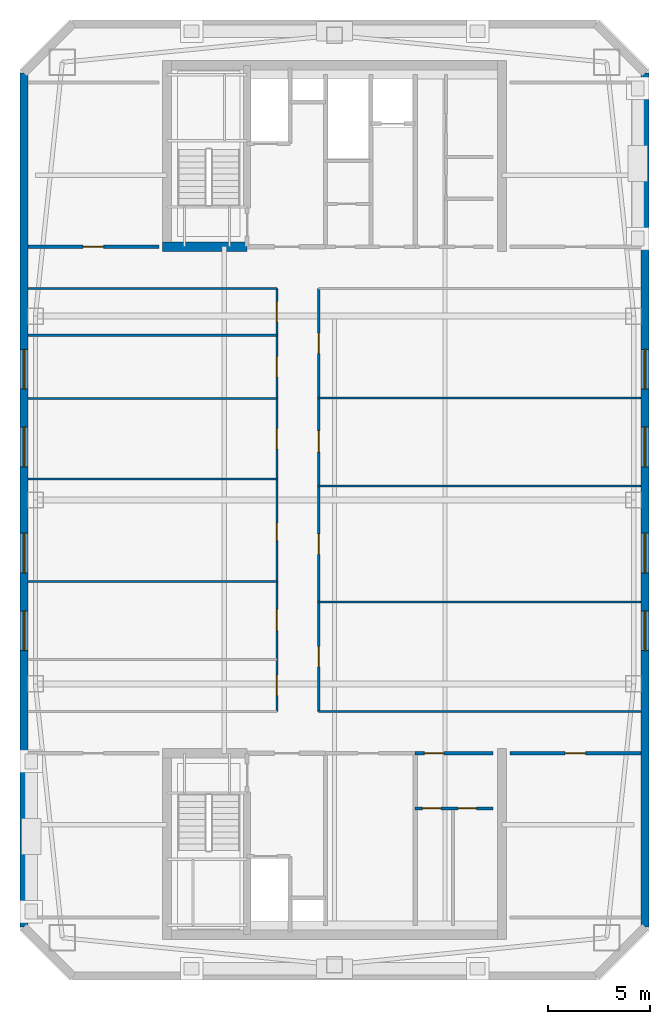
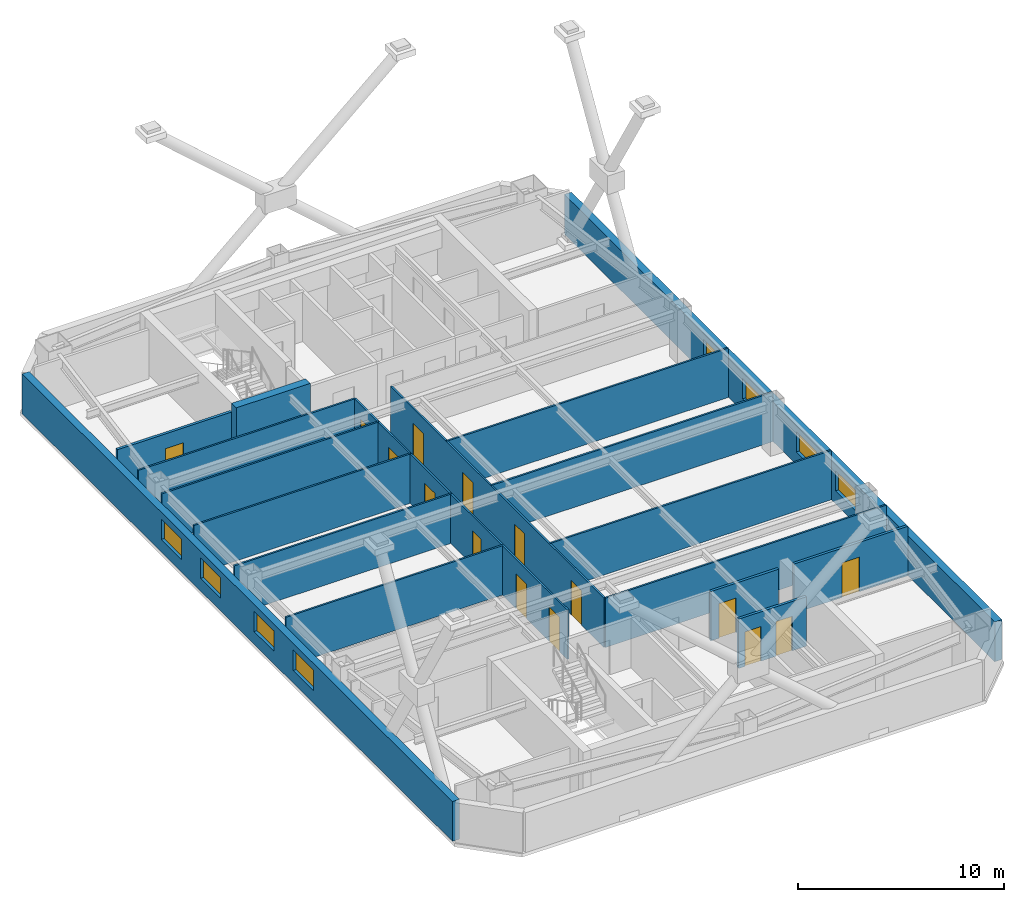
# One storey, part 3 of 6: 18 walls, 15 doors, 8 windows, 23 openings.
"""IFC4 building model written with IfcOpenShell, lengths in metres."""

from ifc_helpers import new_model, si_unit, direction, frame, frame_2d, origin, place, context, subcontext, project, spatial, rectangle, extrude, material, layer, layer_set, type_object, element, fill, save


model = new_model("IFC4")

# Units and contexts
model_context = context("Model", 3, precision=1e-05, world=origin(), true_north=direction((0.0, 1.0)))
body_context = subcontext(model_context, "Body", "Model", "MODEL_VIEW")
ifc_project = project(units=[si_unit("LENGTHUNIT", "METRE"), si_unit("AREAUNIT", "SQUARE_METRE"), si_unit("VOLUMEUNIT", "CUBIC_METRE"), si_unit("PLANEANGLEUNIT", "RADIAN"), si_unit("MASSUNIT", "GRAM", prefix="KILO")], contexts=[model_context])

# Site, building, storey
site_placement = place(None, origin())
site = spatial("IfcSite", under=ifc_project, at=site_placement, CompositionType="ELEMENT")
building_placement = place(site_placement, origin())
building = spatial("IfcBuilding", under=site, at=building_placement, Name="Qiaolan Cultural Towers", CompositionType="ELEMENT")
storey_placement = place(building_placement, frame((0.0, 0.0, 263.199951171875)))
storey = spatial("IfcBuildingStorey", under=building, at=storey_placement, Name="L72", CompositionType="ELEMENT", Elevation=263.199951171875)

# Wall
ifc_material_1 = material(Name="Concrete C50", Category="concrete")
ifc_layer_1 = layer(ifc_material_1, 0.449951171875)
ifc_layer_set_1 = layer_set([ifc_layer_1], Name="Concrete C50")
wall_type_1 = type_object("IfcWallType", Name="WL-CORE-450", PredefinedType="SHEAR", material=ifc_layer_set_1)
wall_1_placement = place(storey_placement, frame((21.574951171875, 46.39990234375, 0.0), z_axis=(0.0, 0.0, 1.0), x_axis=(1.0, 0.0, 0.0)))
element("IfcWall", 1, at=wall_1_placement, inside=storey, type_object=wall_type_1, Name="L72 T1-CN Stair Front Shear Wall", PredefinedType="SHEAR", context=body_context, shape_type="SweptSolid", body=[
    extrude(rectangle(XDim=4.14501953125, YDim=0.449951171875, at=frame_2d((2.072509765625, 0.0))), origin(), (0.0, 0.0, 1.0), 3.199951171875),
])

# Wall, openings, windows
ifc_material_2 = material(Name="Precast Concrete C50 Honed Stone Pier", Category="masonry")
ifc_layer_2 = layer(ifc_material_2, 0.39990234375)
ifc_layer_set_2 = layer_set([ifc_layer_2], Name="Precast Concrete C50 Honed Stone Pier")
wall_type_2 = type_object("IfcWallType", Name="WL-EXT-PIER-400", PredefinedType="SOLIDWALL", material=ifc_layer_set_2)
wall_2_placement = place(storey_placement, frame((14.800048828125, 13.10009765625, 0.0), z_axis=(0.0, 0.0, 1.0), x_axis=(0.0, 1.0, 0.0)))
wall_2 = element("IfcWall", 2, at=wall_2_placement, inside=storey, type_object=wall_type_2, Name="L72 West Tower Precast Pier Facade Wall F1", PredefinedType="SOLIDWALL", context=body_context, shape_type="SweptSolid", body=[
    extrude(rectangle(XDim=41.7998046875, YDim=0.39990234375, at=frame_2d((20.89990234375, 0.0))), origin(), (0.0, 0.0, 1.0), 2.360107421875),
])
opening_1_placement = place(wall_2_placement, frame((13.52490234375, 0.0, 0.75)))
opening_1 = element("IfcOpeningElement", 3, at=opening_1_placement, cuts=wall_2, Name="Opening W-06", PredefinedType="OPENING", context=body_context, shape_type="SweptSolid", body=[
    extrude(rectangle(XDim=1.949951171875, YDim=1.2099609375, at=frame_2d((0.97509765625, 0.60498046875))), frame((0.0, 0.2099609375, 0.0), z_axis=(0.0, -1.0, 0.0), x_axis=(1.0, 0.0, 0.0)), (0.0, 0.0, 1.0), 0.419921875),
])
opening_2_placement = place(wall_2_placement, frame((17.324951171875, 0.0, 0.75)))
opening_2 = element("IfcOpeningElement", 4, at=opening_2_placement, cuts=wall_2, Name="Opening W-06", PredefinedType="OPENING", context=body_context, shape_type="SweptSolid", body=[
    extrude(rectangle(XDim=1.949951171875, YDim=1.2099609375, at=frame_2d((0.97509765625, 0.60498046875))), frame((0.0, 0.2099609375, 0.0), z_axis=(0.0, -1.0, 0.0), x_axis=(1.0, 0.0, 0.0)), (0.0, 0.0, 1.0), 0.419921875),
])
opening_3_placement = place(wall_2_placement, frame((22.52490234375, 0.0, 0.75)))
opening_3 = element("IfcOpeningElement", 5, at=opening_3_placement, cuts=wall_2, Name="Opening W-06", PredefinedType="OPENING", context=body_context, shape_type="SweptSolid", body=[
    extrude(rectangle(XDim=1.949951171875, YDim=1.2099609375, at=frame_2d((0.97509765625, 0.60498046875))), frame((0.0, 0.2099609375, 0.0), z_axis=(0.0, -1.0, 0.0), x_axis=(1.0, 0.0, 0.0)), (0.0, 0.0, 1.0), 0.419921875),
])
opening_4_placement = place(wall_2_placement, frame((26.324951171875, 0.0, 0.75)))
opening_4 = element("IfcOpeningElement", 6, at=opening_4_placement, cuts=wall_2, Name="Opening W-06", PredefinedType="OPENING", context=body_context, shape_type="SweptSolid", body=[
    extrude(rectangle(XDim=1.949951171875, YDim=1.2099609375, at=frame_2d((0.97509765625, 0.60498046875))), frame((0.0, 0.2099609375, 0.0), z_axis=(0.0, -1.0, 0.0), x_axis=(1.0, 0.0, 0.0)), (0.0, 0.0, 1.0), 0.419921875),
])
ifc_material_3 = material(Name="Thermally Broken Aluminium Triple Low-E Glazing", Category="aluminium")
window_type = type_object("IfcWindowType", Name="WN-CHIC-1950", PartitioningType="SINGLE_PANEL", PredefinedType="WINDOW", material=ifc_material_3)
window_1_placement = place(opening_1_placement, origin())
window_1 = element("IfcWindow", 7, at=window_1_placement, inside=storey, type_object=window_type, Name="L72 T1 W Chicago Bay Window 1", OverallHeight=1.2099609375, OverallWidth=1.949951171875, PartitioningType="TRIPLE_PANEL_VERTICAL", PredefinedType="WINDOW", context=body_context, shape_type="SweptSolid", body=[
    extrude(rectangle(XDim=1.949951171875, YDim=1.2099609375, at=frame_2d((0.97509765625, 0.60498046875))), frame((0.0, 0.030029296875, 0.0), z_axis=(0.0, -1.0, 0.0), x_axis=(1.0, 0.0, 0.0)), (0.0, 0.0, 1.0), 0.06005859375),
])
fill(opening_1, window_1)
window_2_placement = place(opening_2_placement, origin())
window_2 = element("IfcWindow", 8, at=window_2_placement, inside=storey, type_object=window_type, Name="L72 T1 W Chicago Bay Window 2", OverallHeight=1.2099609375, OverallWidth=1.949951171875, PartitioningType="TRIPLE_PANEL_VERTICAL", PredefinedType="WINDOW", context=body_context, shape_type="SweptSolid", body=[
    extrude(rectangle(XDim=1.949951171875, YDim=1.2099609375, at=frame_2d((0.97509765625, 0.60498046875))), frame((0.0, 0.030029296875, 0.0), z_axis=(0.0, -1.0, 0.0), x_axis=(1.0, 0.0, 0.0)), (0.0, 0.0, 1.0), 0.06005859375),
])
fill(opening_2, window_2)
window_3_placement = place(opening_3_placement, origin())
window_3 = element("IfcWindow", 9, at=window_3_placement, inside=storey, type_object=window_type, Name="L72 T1 W Chicago Bay Window 3", OverallHeight=1.2099609375, OverallWidth=1.949951171875, PartitioningType="TRIPLE_PANEL_VERTICAL", PredefinedType="WINDOW", context=body_context, shape_type="SweptSolid", body=[
    extrude(rectangle(XDim=1.949951171875, YDim=1.2099609375, at=frame_2d((0.97509765625, 0.60498046875))), frame((0.0, 0.030029296875, 0.0), z_axis=(0.0, -1.0, 0.0), x_axis=(1.0, 0.0, 0.0)), (0.0, 0.0, 1.0), 0.06005859375),
])
fill(opening_3, window_3)
window_4_placement = place(opening_4_placement, origin())
window_4 = element("IfcWindow", 10, at=window_4_placement, inside=storey, type_object=window_type, Name="L72 T1 W Chicago Bay Window 4", OverallHeight=1.2099609375, OverallWidth=1.949951171875, PartitioningType="TRIPLE_PANEL_VERTICAL", PredefinedType="WINDOW", context=body_context, shape_type="SweptSolid", body=[
    extrude(rectangle(XDim=1.949951171875, YDim=1.2099609375, at=frame_2d((0.97509765625, 0.60498046875))), frame((0.0, 0.030029296875, 0.0), z_axis=(0.0, -1.0, 0.0), x_axis=(1.0, 0.0, 0.0)), (0.0, 0.0, 1.0), 0.06005859375),
])
fill(opening_4, window_4)

wall_3_placement = place(storey_placement, frame((45.199951171875, 54.89990234375, 0.0), z_axis=(0.0, 0.0, 1.0), x_axis=(0.0, -1.0, 0.0)))
wall_3 = element("IfcWall", 11, at=wall_3_placement, inside=storey, type_object=wall_type_2, Name="L72 West Tower Precast Pier Facade Wall F5", PredefinedType="SOLIDWALL", context=body_context, shape_type="SweptSolid", body=[
    extrude(rectangle(XDim=41.7998046875, YDim=0.39990234375, at=frame_2d((20.89990234375, 0.0))), origin(), (0.0, 0.0, 1.0), 2.360107421875),
])
opening_5_placement = place(wall_3_placement, frame((26.324951171875, 0.0, 0.75)))
opening_5 = element("IfcOpeningElement", 12, at=opening_5_placement, cuts=wall_3, Name="Opening W-06", PredefinedType="OPENING", context=body_context, shape_type="SweptSolid", body=[
    extrude(rectangle(XDim=1.949951171875, YDim=1.2099609375, at=frame_2d((0.97509765625, 0.60498046875))), frame((0.0, 0.2099609375, 0.0), z_axis=(0.0, -1.0, 0.0), x_axis=(1.0, 0.0, 0.0)), (0.0, 0.0, 1.0), 0.419921875),
])
opening_6_placement = place(wall_3_placement, frame((22.52490234375, 0.0, 0.75)))
opening_6 = element("IfcOpeningElement", 13, at=opening_6_placement, cuts=wall_3, Name="Opening W-06", PredefinedType="OPENING", context=body_context, shape_type="SweptSolid", body=[
    extrude(rectangle(XDim=1.949951171875, YDim=1.2099609375, at=frame_2d((0.97509765625, 0.60498046875))), frame((0.0, 0.2099609375, 0.0), z_axis=(0.0, -1.0, 0.0), x_axis=(1.0, 0.0, 0.0)), (0.0, 0.0, 1.0), 0.419921875),
])
opening_7_placement = place(wall_3_placement, frame((17.324951171875, 0.0, 0.75)))
opening_7 = element("IfcOpeningElement", 14, at=opening_7_placement, cuts=wall_3, Name="Opening W-06", PredefinedType="OPENING", context=body_context, shape_type="SweptSolid", body=[
    extrude(rectangle(XDim=1.949951171875, YDim=1.2099609375, at=frame_2d((0.97509765625, 0.60498046875))), frame((0.0, 0.2099609375, 0.0), z_axis=(0.0, -1.0, 0.0), x_axis=(1.0, 0.0, 0.0)), (0.0, 0.0, 1.0), 0.419921875),
])
opening_8_placement = place(wall_3_placement, frame((13.52490234375, 0.0, 0.75)))
opening_8 = element("IfcOpeningElement", 15, at=opening_8_placement, cuts=wall_3, Name="Opening W-06", PredefinedType="OPENING", context=body_context, shape_type="SweptSolid", body=[
    extrude(rectangle(XDim=1.949951171875, YDim=1.2099609375, at=frame_2d((0.97509765625, 0.60498046875))), frame((0.0, 0.2099609375, 0.0), z_axis=(0.0, -1.0, 0.0), x_axis=(1.0, 0.0, 0.0)), (0.0, 0.0, 1.0), 0.419921875),
])
window_5_placement = place(opening_5_placement, origin())
window_5 = element("IfcWindow", 16, at=window_5_placement, inside=storey, type_object=window_type, Name="L72 T1 E Chicago Bay Window 1", OverallHeight=1.2099609375, OverallWidth=1.949951171875, PartitioningType="TRIPLE_PANEL_VERTICAL", PredefinedType="WINDOW", context=body_context, shape_type="SweptSolid", body=[
    extrude(rectangle(XDim=1.949951171875, YDim=1.2099609375, at=frame_2d((0.97509765625, 0.60498046875))), frame((0.0, 0.030029296875, 0.0), z_axis=(0.0, -1.0, 0.0), x_axis=(1.0, 0.0, 0.0)), (0.0, 0.0, 1.0), 0.06005859375),
])
fill(opening_5, window_5)
window_6_placement = place(opening_6_placement, origin())
window_6 = element("IfcWindow", 17, at=window_6_placement, inside=storey, type_object=window_type, Name="L72 T1 E Chicago Bay Window 2", OverallHeight=1.2099609375, OverallWidth=1.949951171875, PartitioningType="TRIPLE_PANEL_VERTICAL", PredefinedType="WINDOW", context=body_context, shape_type="SweptSolid", body=[
    extrude(rectangle(XDim=1.949951171875, YDim=1.2099609375, at=frame_2d((0.97509765625, 0.60498046875))), frame((0.0, 0.030029296875, 0.0), z_axis=(0.0, -1.0, 0.0), x_axis=(1.0, 0.0, 0.0)), (0.0, 0.0, 1.0), 0.06005859375),
])
fill(opening_6, window_6)
window_7_placement = place(opening_7_placement, origin())
window_7 = element("IfcWindow", 18, at=window_7_placement, inside=storey, type_object=window_type, Name="L72 T1 E Chicago Bay Window 3", OverallHeight=1.2099609375, OverallWidth=1.949951171875, PartitioningType="TRIPLE_PANEL_VERTICAL", PredefinedType="WINDOW", context=body_context, shape_type="SweptSolid", body=[
    extrude(rectangle(XDim=1.949951171875, YDim=1.2099609375, at=frame_2d((0.97509765625, 0.60498046875))), frame((0.0, 0.030029296875, 0.0), z_axis=(0.0, -1.0, 0.0), x_axis=(1.0, 0.0, 0.0)), (0.0, 0.0, 1.0), 0.06005859375),
])
fill(opening_7, window_7)
window_8_placement = place(opening_8_placement, origin())
window_8 = element("IfcWindow", 19, at=window_8_placement, inside=storey, type_object=window_type, Name="L72 T1 E Chicago Bay Window 4", OverallHeight=1.2099609375, OverallWidth=1.949951171875, PartitioningType="TRIPLE_PANEL_VERTICAL", PredefinedType="WINDOW", context=body_context, shape_type="SweptSolid", body=[
    extrude(rectangle(XDim=1.949951171875, YDim=1.2099609375, at=frame_2d((0.97509765625, 0.60498046875))), frame((0.0, 0.030029296875, 0.0), z_axis=(0.0, -1.0, 0.0), x_axis=(1.0, 0.0, 0.0)), (0.0, 0.0, 1.0), 0.06005859375),
])
fill(opening_8, window_8)

# Walls
ifc_material_4 = material(Name="Acoustic Double-Glazed Partition Frame", Category="glass")
ifc_layer_3 = layer(ifc_material_4, 0.10009765625)
ifc_layer_set_3 = layer_set([ifc_layer_3], Name="Acoustic Double-Glazed Partition Frame")
wall_type_3 = type_object("IfcWallType", Name="WL-GLAZED-100", PredefinedType="MOVABLE", material=ifc_layer_set_3)
wall_4_placement = place(storey_placement, frame((29.22509765625, 23.64990234375, 0.0), z_axis=(0.0, 0.0, 1.0), x_axis=(1.0, 0.0, 0.0)))
element("IfcWall", 20, at=wall_4_placement, inside=storey, type_object=wall_type_3, Name="L72 T1 South Corridor Right Wall", PredefinedType="MOVABLE", context=body_context, shape_type="SweptSolid", body=[
    extrude(rectangle(XDim=15.77490234375, YDim=0.10009765625, at=frame_2d((7.887451171875, 0.0))), origin(), (0.0, 0.0, 1.0), 2.925048828125),
])
wall_5_placement = place(storey_placement, frame((15.0, 44.35009765625, 0.0), z_axis=(0.0, 0.0, 1.0), x_axis=(1.0, 0.0, 0.0)))
element("IfcWall", 21, at=wall_5_placement, inside=storey, type_object=wall_type_3, Name="L72 T1 North Corridor Left Wall", PredefinedType="MOVABLE", context=body_context, shape_type="SweptSolid", body=[
    extrude(rectangle(XDim=12.175048828125, YDim=0.10009765625, at=frame_2d((6.08740234375, 0.0))), origin(), (0.0, 0.0, 1.0), 2.925048828125),
])

# Wall, openings, doors
wall_6_placement = place(storey_placement, frame((27.175048828125, 23.64990234375, 0.0), z_axis=(0.0, 0.0, 1.0), x_axis=(0.0, 1.0, 0.0)))
wall_6 = element("IfcWall", 22, at=wall_6_placement, inside=storey, type_object=wall_type_3, Name="L72 T1 West Spine Wall", PredefinedType="MOVABLE", context=body_context, shape_type="SweptSolid", body=[
    extrude(rectangle(XDim=20.7001953125, YDim=0.10009765625, at=frame_2d((10.35009765625, 0.0))), origin(), (0.0, 0.0, 1.0), 2.925048828125),
])
opening_9_placement = place(wall_6_placement, frame((0.77490234375, 0.0, 0.0)))
opening_9 = element("IfcOpeningElement", 23, at=opening_9_placement, cuts=wall_6, Name="Opening ID-04", PredefinedType="OPENING", context=body_context, shape_type="SweptSolid", body=[
    extrude(rectangle(XDim=1.0, YDim=2.050048828125, at=frame_2d((0.5, 1.02490234375))), frame((0.0, 0.06005859375, 0.0), z_axis=(0.0, -1.0, 0.0), x_axis=(1.0, 0.0, 0.0)), (0.0, 0.0, 1.0), 0.1201171875),
])
opening_10_placement = place(wall_6_placement, frame((3.949951171875, 0.0, 0.0)))
opening_10 = element("IfcOpeningElement", 24, at=opening_10_placement, cuts=wall_6, Name="Opening ID-07", PredefinedType="OPENING", context=body_context, shape_type="SweptSolid", body=[
    extrude(rectangle(XDim=1.050048828125, YDim=2.050048828125, at=frame_2d((0.52490234375, 1.02490234375))), frame((0.0, 0.06005859375, 0.0), z_axis=(0.0, -1.0, 0.0), x_axis=(1.0, 0.0, 0.0)), (0.0, 0.0, 1.0), 0.1201171875),
])
opening_11_placement = place(wall_6_placement, frame((8.364013671875, 0.0, 0.0)))
opening_11 = element("IfcOpeningElement", 25, at=opening_11_placement, cuts=wall_6, Name="Opening ID-09", PredefinedType="OPENING", context=body_context, shape_type="SweptSolid", body=[
    extrude(rectangle(XDim=0.85009765625, YDim=2.050048828125, at=frame_2d((0.425048828125, 1.02490234375))), frame((0.0, 0.06005859375, 0.0), z_axis=(0.0, -1.0, 0.0), x_axis=(1.0, 0.0, 0.0)), (0.0, 0.0, 1.0), 0.1201171875),
])
opening_12_placement = place(wall_6_placement, frame((12.844482421875, 0.0, 0.0)))
opening_12 = element("IfcOpeningElement", 26, at=opening_12_placement, cuts=wall_6, Name="Opening ID-04", PredefinedType="OPENING", context=body_context, shape_type="SweptSolid", body=[
    extrude(rectangle(XDim=1.0, YDim=2.050048828125, at=frame_2d((0.5, 1.02490234375))), frame((0.0, 0.06005859375, 0.0), z_axis=(0.0, -1.0, 0.0), x_axis=(1.0, 0.0, 0.0)), (0.0, 0.0, 1.0), 0.1201171875),
])
opening_13_placement = place(wall_6_placement, frame((16.363525390625, 0.0, 0.0)))
opening_13 = element("IfcOpeningElement", 27, at=opening_13_placement, cuts=wall_6, Name="Opening ID-04", PredefinedType="OPENING", context=body_context, shape_type="SweptSolid", body=[
    extrude(rectangle(XDim=1.0, YDim=2.050048828125, at=frame_2d((0.5, 1.02490234375))), frame((0.0, 0.06005859375, 0.0), z_axis=(0.0, -1.0, 0.0), x_axis=(1.0, 0.0, 0.0)), (0.0, 0.0, 1.0), 0.1201171875),
])
opening_14_placement = place(wall_6_placement, frame((19.05810546875, 0.0, 0.0)))
opening_14 = element("IfcOpeningElement", 28, at=opening_14_placement, cuts=wall_6, Name="Opening ID-04", PredefinedType="OPENING", context=body_context, shape_type="SweptSolid", body=[
    extrude(rectangle(XDim=1.0, YDim=2.050048828125, at=frame_2d((0.5, 1.02490234375))), frame((0.0, 0.06005859375, 0.0), z_axis=(0.0, -1.0, 0.0), x_axis=(1.0, 0.0, 0.0)), (0.0, 0.0, 1.0), 0.1201171875),
])
ifc_material_5 = material(Name="Oak Veneer Acoustic Office Door", Category="timber")
door_type_1 = type_object("IfcDoorType", Name="DR-INT-1000", OperationType="NOTDEFINED", PredefinedType="DOOR", material=ifc_material_5)
door_1_placement = place(opening_9_placement, origin())
door_1 = element("IfcDoor", 29, at=door_1_placement, inside=storey, type_object=door_type_1, Name="L72 T1 Summit Counsel Office Door", OperationType="SINGLE_SWING_LEFT", OverallHeight=2.050048828125, OverallWidth=1.0, PredefinedType="DOOR", context=body_context, shape_type="SweptSolid", body=[
    extrude(rectangle(XDim=1.0, YDim=2.050048828125, at=frame_2d((0.5, 1.02490234375))), frame((0.0, 0.02490234375, 0.0), z_axis=(0.0, -1.0, 0.0), x_axis=(1.0, 0.0, 0.0)), (0.0, 0.0, 1.0), 0.050048828125),
])
fill(opening_9, door_1)
door_2_placement = place(opening_12_placement, origin())
door_2 = element("IfcDoor", 30, at=door_2_placement, inside=storey, type_object=door_type_1, Name="L72 T1 Summit Counsel Office Door", OperationType="SINGLE_SWING_RIGHT", OverallHeight=2.050048828125, OverallWidth=1.0, PredefinedType="DOOR", context=body_context, shape_type="SweptSolid", body=[
    extrude(rectangle(XDim=1.0, YDim=2.050048828125, at=frame_2d((0.5, 1.02490234375))), frame((0.0, 0.02490234375, 0.0), z_axis=(0.0, -1.0, 0.0), x_axis=(1.0, 0.0, 0.0)), (0.0, 0.0, 1.0), 0.050048828125),
])
fill(opening_12, door_2)
door_3_placement = place(opening_13_placement, origin())
door_3 = element("IfcDoor", 31, at=door_3_placement, inside=storey, type_object=door_type_1, Name="L72 T1 Wellness Room Door", OperationType="SINGLE_SWING_LEFT", OverallHeight=2.050048828125, OverallWidth=1.0, PredefinedType="DOOR", context=body_context, shape_type="SweptSolid", body=[
    extrude(rectangle(XDim=1.0, YDim=2.050048828125, at=frame_2d((0.5, 1.02490234375))), frame((0.0, 0.02490234375, 0.0), z_axis=(0.0, -1.0, 0.0), x_axis=(1.0, 0.0, 0.0)), (0.0, 0.0, 1.0), 0.050048828125),
])
fill(opening_13, door_3)
door_4_placement = place(opening_14_placement, origin())
door_4 = element("IfcDoor", 32, at=door_4_placement, inside=storey, type_object=door_type_1, Name="L72 T1 Tea Pantry Door", OperationType="SINGLE_SWING_RIGHT", OverallHeight=2.050048828125, OverallWidth=1.0, PredefinedType="DOOR", context=body_context, shape_type="SweptSolid", body=[
    extrude(rectangle(XDim=1.0, YDim=2.050048828125, at=frame_2d((0.5, 1.02490234375))), frame((0.0, 0.02490234375, 0.0), z_axis=(0.0, -1.0, 0.0), x_axis=(1.0, 0.0, 0.0)), (0.0, 0.0, 1.0), 0.050048828125),
])
fill(opening_14, door_4)
ifc_material_6 = material(Name="Oak Veneer Consultation Door", Category="timber")
door_type_2 = type_object("IfcDoorType", Name="DR-INT-1050", OperationType="NOTDEFINED", PredefinedType="DOOR", material=ifc_material_6)
door_5_placement = place(opening_10_placement, origin())
door_5 = element("IfcDoor", 33, at=door_5_placement, inside=storey, type_object=door_type_2, Name="L72 T1 Summit Counsel Office Door", OperationType="SINGLE_SWING_RIGHT", OverallHeight=2.050048828125, OverallWidth=1.050048828125, PredefinedType="DOOR", context=body_context, shape_type="SweptSolid", body=[
    extrude(rectangle(XDim=1.050048828125, YDim=2.050048828125, at=frame_2d((0.52490234375, 1.02490234375))), frame((0.0, 0.02490234375, 0.0), z_axis=(0.0, -1.0, 0.0), x_axis=(1.0, 0.0, 0.0)), (0.0, 0.0, 1.0), 0.050048828125),
])
fill(opening_10, door_5)
ifc_material_7 = material(Name="Moisture-Resistant Laminate Utility Door", Category="timber")
door_type_3 = type_object("IfcDoorType", Name="DR-INT-850", OperationType="NOTDEFINED", PredefinedType="DOOR", material=ifc_material_7)
door_6_placement = place(opening_11_placement, origin())
door_6 = element("IfcDoor", 34, at=door_6_placement, inside=storey, type_object=door_type_3, Name="L72 T1 Summit Counsel Office Door", OperationType="SINGLE_SWING_LEFT", OverallHeight=2.050048828125, OverallWidth=0.85009765625, PredefinedType="DOOR", context=body_context, shape_type="SweptSolid", body=[
    extrude(rectangle(XDim=0.85009765625, YDim=2.050048828125, at=frame_2d((0.425048828125, 1.02490234375))), frame((0.0, 0.02490234375, 0.0), z_axis=(0.0, -1.0, 0.0), x_axis=(1.0, 0.0, 0.0)), (0.0, 0.0, 1.0), 0.050048828125),
])
fill(opening_11, door_6)

wall_7_placement = place(storey_placement, frame((29.22509765625, 23.64990234375, 0.0), z_axis=(0.0, 0.0, 1.0), x_axis=(0.0, 1.0, 0.0)))
wall_7 = element("IfcWall", 35, at=wall_7_placement, inside=storey, type_object=wall_type_3, Name="L72 T1 East Spine Wall", PredefinedType="MOVABLE", context=body_context, shape_type="SweptSolid", body=[
    extrude(rectangle(XDim=20.7001953125, YDim=0.10009765625, at=frame_2d((10.35009765625, 0.0))), origin(), (0.0, 0.0, 1.0), 2.925048828125),
])
opening_15_placement = place(wall_7_placement, frame((2.175048828125, 0.0, 0.0)))
opening_15 = element("IfcOpeningElement", 36, at=opening_15_placement, cuts=wall_7, Name="Opening ID-04", PredefinedType="OPENING", context=body_context, shape_type="SweptSolid", body=[
    extrude(rectangle(XDim=1.0, YDim=2.050048828125, at=frame_2d((0.5, 1.02490234375))), frame((0.0, 0.06005859375, 0.0), z_axis=(0.0, -1.0, 0.0), x_axis=(1.0, 0.0, 0.0)), (0.0, 0.0, 1.0), 0.1201171875),
])
opening_16_placement = place(wall_7_placement, frame((7.68994140625, 0.0, 0.0)))
opening_16 = element("IfcOpeningElement", 37, at=opening_16_placement, cuts=wall_7, Name="Opening ID-04", PredefinedType="OPENING", context=body_context, shape_type="SweptSolid", body=[
    extrude(rectangle(XDim=1.0, YDim=2.050048828125, at=frame_2d((0.5, 1.02490234375))), frame((0.0, 0.06005859375, 0.0), z_axis=(0.0, -1.0, 0.0), x_axis=(1.0, 0.0, 0.0)), (0.0, 0.0, 1.0), 0.1201171875),
])
opening_17_placement = place(wall_7_placement, frame((12.68994140625, 0.0, 0.0)))
opening_17 = element("IfcOpeningElement", 38, at=opening_17_placement, cuts=wall_7, Name="Opening ID-07", PredefinedType="OPENING", context=body_context, shape_type="SweptSolid", body=[
    extrude(rectangle(XDim=1.050048828125, YDim=2.050048828125, at=frame_2d((0.52490234375, 1.02490234375))), frame((0.0, 0.06005859375, 0.0), z_axis=(0.0, -1.0, 0.0), x_axis=(1.0, 0.0, 0.0)), (0.0, 0.0, 1.0), 0.1201171875),
])
opening_18_placement = place(wall_7_placement, frame((17.52490234375, 0.0, 0.0)))
opening_18 = element("IfcOpeningElement", 39, at=opening_18_placement, cuts=wall_7, Name="Opening ID-04", PredefinedType="OPENING", context=body_context, shape_type="SweptSolid", body=[
    extrude(rectangle(XDim=1.0, YDim=2.050048828125, at=frame_2d((0.5, 1.02490234375))), frame((0.0, 0.06005859375, 0.0), z_axis=(0.0, -1.0, 0.0), x_axis=(1.0, 0.0, 0.0)), (0.0, 0.0, 1.0), 0.1201171875),
])
door_7_placement = place(opening_15_placement, origin())
door_7 = element("IfcDoor", 40, at=door_7_placement, inside=storey, type_object=door_type_1, Name="L72 T1 Crown Archival Study Door", OperationType="SINGLE_SWING_RIGHT", OverallHeight=2.050048828125, OverallWidth=1.0, PredefinedType="DOOR", context=body_context, shape_type="SweptSolid", body=[
    extrude(rectangle(XDim=1.0, YDim=2.050048828125, at=frame_2d((0.5, 1.02490234375))), frame((0.0, 0.02490234375, 0.0), z_axis=(0.0, -1.0, 0.0), x_axis=(1.0, 0.0, 0.0)), (0.0, 0.0, 1.0), 0.050048828125),
])
fill(opening_15, door_7)
door_8_placement = place(opening_16_placement, origin())
door_8 = element("IfcDoor", 41, at=door_8_placement, inside=storey, type_object=door_type_1, Name="L72 T1 Crown Archival Study Door", OperationType="SINGLE_SWING_LEFT", OverallHeight=2.050048828125, OverallWidth=1.0, PredefinedType="DOOR", context=body_context, shape_type="SweptSolid", body=[
    extrude(rectangle(XDim=1.0, YDim=2.050048828125, at=frame_2d((0.5, 1.02490234375))), frame((0.0, 0.02490234375, 0.0), z_axis=(0.0, -1.0, 0.0), x_axis=(1.0, 0.0, 0.0)), (0.0, 0.0, 1.0), 0.050048828125),
])
fill(opening_16, door_8)
door_9_placement = place(opening_18_placement, origin())
door_9 = element("IfcDoor", 42, at=door_9_placement, inside=storey, type_object=door_type_1, Name="L72 T1 Sky Lounge Door", OperationType="SINGLE_SWING_LEFT", OverallHeight=2.050048828125, OverallWidth=1.0, PredefinedType="DOOR", context=body_context, shape_type="SweptSolid", body=[
    extrude(rectangle(XDim=1.0, YDim=2.050048828125, at=frame_2d((0.5, 1.02490234375))), frame((0.0, 0.02490234375, 0.0), z_axis=(0.0, -1.0, 0.0), x_axis=(1.0, 0.0, 0.0)), (0.0, 0.0, 1.0), 0.050048828125),
])
fill(opening_18, door_9)
door_10_placement = place(opening_17_placement, origin())
door_10 = element("IfcDoor", 43, at=door_10_placement, inside=storey, type_object=door_type_2, Name="L72 T1 Edition Book Counter Door", OperationType="SINGLE_SWING_RIGHT", OverallHeight=2.050048828125, OverallWidth=1.050048828125, PredefinedType="DOOR", context=body_context, shape_type="SweptSolid", body=[
    extrude(rectangle(XDim=1.050048828125, YDim=2.050048828125, at=frame_2d((0.52490234375, 1.02490234375))), frame((0.0, 0.02490234375, 0.0), z_axis=(0.0, -1.0, 0.0), x_axis=(1.0, 0.0, 0.0)), (0.0, 0.0, 1.0), 0.050048828125),
])
fill(opening_17, door_10)

# Walls
for number, where, z_axis, x_axis, name in (
    (44, (15.0, 30.0, 0.0), (0.0, 0.0, 1.0), (1.0, 0.0, 0.0), "L72 T1 West Partition 2"),
    (45, (15.0, 35.028076171875, 0.0), (0.0, 0.0, 1.0), (1.0, 0.0, 0.0), "L72 T1 West Partition 3"),
    (46, (15.0, 38.9609375, 0.0), (0.0, 0.0, 1.0), (1.0, 0.0, 0.0), "L72 T1 West Partition 4"),
    (47, (15.0, 42.06591796875, 0.0), (0.0, 0.0, 1.0), (1.0, 0.0, 0.0), "L72 T1 West Partition 5"),
):
    element("IfcWall", number, at=place(storey_placement, frame(where, z_axis=z_axis, x_axis=x_axis)), inside=storey, type_object=wall_type_3, Name=name, PredefinedType="MOVABLE", context=body_context, shape_type="SweptSolid", body=[
        extrude(rectangle(XDim=12.175048828125, YDim=0.10009765625, at=frame_2d((6.08740234375, 0.0))), origin(), (0.0, 0.0, 1.0), 2.925048828125),
    ])
for number, where, z_axis, x_axis, name in (
    (48, (29.22509765625, 29.0, 0.0), (0.0, 0.0, 1.0), (1.0, 0.0, 0.0), "L72 T1 East Partition 1"),
    (49, (29.22509765625, 34.679931640625, 0.0), (0.0, 0.0, 1.0), (1.0, 0.0, 0.0), "L72 T1 East Partition 2"),
    (50, (29.22509765625, 39.0, 0.0), (0.0, 0.0, 1.0), (1.0, 0.0, 0.0), "L72 T1 East Partition 3"),
):
    element("IfcWall", number, at=place(storey_placement, frame(where, z_axis=z_axis, x_axis=x_axis)), inside=storey, type_object=wall_type_3, Name=name, PredefinedType="MOVABLE", context=body_context, shape_type="SweptSolid", body=[
        extrude(rectangle(XDim=15.77490234375, YDim=0.10009765625, at=frame_2d((7.887451171875, 0.0))), origin(), (0.0, 0.0, 1.0), 2.925048828125),
    ])

# Wall, opening, door
ifc_material_8 = material(Name="Autoclaved Aerated Concrete Block B06", Category="concrete")
ifc_layer_4 = layer(ifc_material_8, 0.14990234375)
ifc_layer_set_4 = layer_set([ifc_layer_4], Name="Autoclaved Aerated Concrete Block B06")
wall_type_4 = type_object("IfcWallType", Name="WL-PART-150", PredefinedType="PARTITIONING", material=ifc_layer_set_4)
wall_8_placement = place(storey_placement, frame((33.949951171875, 21.60009765625, 0.0), z_axis=(0.0, 0.0, 1.0), x_axis=(1.0, 0.0, 0.0)))
wall_8 = element("IfcWall", 51, at=wall_8_placement, inside=storey, type_object=wall_type_4, Name="L72 T1-CS Sanitary Core Front Wall", PredefinedType="PARTITIONING", context=body_context, shape_type="SweptSolid", body=[
    extrude(rectangle(XDim=3.800048828125, YDim=0.14990234375, at=frame_2d((1.89990234375, 0.0))), origin(), (0.0, 0.0, 1.0), 2.925048828125),
])
opening_19_placement = place(wall_8_placement, frame((0.449951171875, 0.0, 0.0)))
opening_19 = element("IfcOpeningElement", 52, at=opening_19_placement, cuts=wall_8, Name="Opening ID-05", PredefinedType="OPENING", context=body_context, shape_type="SweptSolid", body=[
    extrude(rectangle(XDim=0.949951171875, YDim=2.050048828125, at=frame_2d((0.47509765625, 1.02490234375))), frame((0.0, 0.0849609375, 0.0), z_axis=(0.0, -1.0, 0.0), x_axis=(1.0, 0.0, 0.0)), (0.0, 0.0, 1.0), 0.169921875),
])
ifc_material_9 = material(Name="Fire-Rated Laminate Accessible Core Door", Category="timber")
door_type_4 = type_object("IfcDoorType", Name="DR-INT-950", OperationType="NOTDEFINED", PredefinedType="DOOR", material=ifc_material_9)
door_11_placement = place(opening_19_placement, origin())
door_11 = element("IfcDoor", 53, at=door_11_placement, inside=storey, type_object=door_type_4, Name="L72 Sanitary Vestibule Door", OperationType="SINGLE_SWING_LEFT", OverallHeight=2.050048828125, OverallWidth=0.949951171875, PredefinedType="DOOR", context=body_context, shape_type="SweptSolid", body=[
    extrude(rectangle(XDim=0.949951171875, YDim=2.050048828125, at=frame_2d((0.47509765625, 1.02490234375))), frame((0.0, 0.02490234375, 0.0), z_axis=(0.0, -1.0, 0.0), x_axis=(1.0, 0.0, 0.0)), (0.0, 0.0, 1.0), 0.050048828125),
])
fill(opening_19, door_11)

# Wall, openings, doors
wall_9_placement = place(storey_placement, frame((33.949951171875, 18.89990234375, 0.0), z_axis=(0.0, 0.0, 1.0), x_axis=(1.0, 0.0, 0.0)))
wall_9 = element("IfcWall", 54, at=wall_9_placement, inside=storey, type_object=wall_type_4, Name="L72 T1-CS Restroom Vestibule Wall", PredefinedType="PARTITIONING", context=body_context, shape_type="SweptSolid", body=[
    extrude(rectangle(XDim=3.800048828125, YDim=0.14990234375, at=frame_2d((1.89990234375, 0.0))), origin(), (0.0, 0.0, 1.0), 2.925048828125),
])
opening_20_placement = place(wall_9_placement, frame((0.35009765625, 0.0, 0.0)))
opening_20 = element("IfcOpeningElement", 55, at=opening_20_placement, cuts=wall_9, Name="Opening ID-06", PredefinedType="OPENING", context=body_context, shape_type="SweptSolid", body=[
    extrude(rectangle(XDim=0.89990234375, YDim=2.050048828125, at=frame_2d((0.449951171875, 1.02490234375))), frame((0.0, 0.0849609375, 0.0), z_axis=(0.0, -1.0, 0.0), x_axis=(1.0, 0.0, 0.0)), (0.0, 0.0, 1.0), 0.169921875),
])
opening_21_placement = place(wall_9_placement, frame((2.10009765625, 0.0, 0.0)))
opening_21 = element("IfcOpeningElement", 56, at=opening_21_placement, cuts=wall_9, Name="Opening ID-06", PredefinedType="OPENING", context=body_context, shape_type="SweptSolid", body=[
    extrude(rectangle(XDim=0.89990234375, YDim=2.050048828125, at=frame_2d((0.449951171875, 1.02490234375))), frame((0.0, 0.0849609375, 0.0), z_axis=(0.0, -1.0, 0.0), x_axis=(1.0, 0.0, 0.0)), (0.0, 0.0, 1.0), 0.169921875),
])
ifc_material_10 = material(Name="Fire-Rated Laminate Core Service Door", Category="timber")
door_type_5 = type_object("IfcDoorType", Name="DR-INT-900", OperationType="NOTDEFINED", PredefinedType="DOOR", material=ifc_material_10)
door_12_placement = place(opening_20_placement, origin())
door_12 = element("IfcDoor", 57, at=door_12_placement, inside=storey, type_object=door_type_5, Name="L72 Men Restroom Door", OperationType="SINGLE_SWING_LEFT", OverallHeight=2.050048828125, OverallWidth=0.89990234375, PredefinedType="DOOR", context=body_context, shape_type="SweptSolid", body=[
    extrude(rectangle(XDim=0.89990234375, YDim=2.050048828125, at=frame_2d((0.449951171875, 1.02490234375))), frame((0.0, 0.02490234375, 0.0), z_axis=(0.0, -1.0, 0.0), x_axis=(1.0, 0.0, 0.0)), (0.0, 0.0, 1.0), 0.050048828125),
])
fill(opening_20, door_12)
door_13_placement = place(opening_21_placement, origin())
door_13 = element("IfcDoor", 58, at=door_13_placement, inside=storey, type_object=door_type_5, Name="L72 Accessible & Women Restroom Door", OperationType="SINGLE_SWING_RIGHT", OverallHeight=2.050048828125, OverallWidth=0.89990234375, PredefinedType="DOOR", context=body_context, shape_type="SweptSolid", body=[
    extrude(rectangle(XDim=0.89990234375, YDim=2.050048828125, at=frame_2d((0.449951171875, 1.02490234375))), frame((0.0, 0.02490234375, 0.0), z_axis=(0.0, -1.0, 0.0), x_axis=(1.0, 0.0, 0.0)), (0.0, 0.0, 1.0), 0.050048828125),
])
fill(opening_21, door_13)

# Wall, opening, door
wall_10_placement = place(storey_placement, frame((38.60009765625, 21.60009765625, 0.0), z_axis=(0.0, 0.0, 1.0), x_axis=(1.0, 0.0, 0.0)))
wall_10 = element("IfcWall", 59, at=wall_10_placement, inside=storey, type_object=wall_type_4, Name="L72 T1 Flank Front FLK-SE", PredefinedType="PARTITIONING", context=body_context, shape_type="SweptSolid", body=[
    extrude(rectangle(XDim=6.39990234375, YDim=0.14990234375, at=frame_2d((3.199951171875, 0.0))), origin(), (0.0, 0.0, 1.0), 2.925048828125),
])
opening_22_placement = place(wall_10_placement, frame((2.68798828125, 0.0, 0.0)))
opening_22 = element("IfcOpeningElement", 60, at=opening_22_placement, cuts=wall_10, Name="Opening ID-04", PredefinedType="OPENING", context=body_context, shape_type="SweptSolid", body=[
    extrude(rectangle(XDim=1.0, YDim=2.050048828125, at=frame_2d((0.5, 1.02490234375))), frame((0.0, 0.0849609375, 0.0), z_axis=(0.0, -1.0, 0.0), x_axis=(1.0, 0.0, 0.0)), (0.0, 0.0, 1.0), 0.169921875),
])
door_14_placement = place(opening_22_placement, origin())
door_14 = element("IfcDoor", 61, at=door_14_placement, inside=storey, type_object=door_type_1, Name="L72 T1 Corner Studio Door", OperationType="SINGLE_SWING_LEFT", OverallHeight=2.050048828125, OverallWidth=1.0, PredefinedType="DOOR", context=body_context, shape_type="SweptSolid", body=[
    extrude(rectangle(XDim=1.0, YDim=2.050048828125, at=frame_2d((0.5, 1.02490234375))), frame((0.0, 0.02490234375, 0.0), z_axis=(0.0, -1.0, 0.0), x_axis=(1.0, 0.0, 0.0)), (0.0, 0.0, 1.0), 0.050048828125),
])
fill(opening_22, door_14)

wall_11_placement = place(storey_placement, frame((15.0, 46.39990234375, 0.0), z_axis=(0.0, 0.0, 1.0), x_axis=(1.0, 0.0, 0.0)))
wall_11 = element("IfcWall", 62, at=wall_11_placement, inside=storey, type_object=wall_type_4, Name="L72 T1 Flank Front FLK-NW", PredefinedType="PARTITIONING", context=body_context, shape_type="SweptSolid", body=[
    extrude(rectangle(XDim=6.39990234375, YDim=0.14990234375, at=frame_2d((3.199951171875, 0.0))), origin(), (0.0, 0.0, 1.0), 2.925048828125),
])
opening_23_placement = place(wall_11_placement, frame((2.68798828125, 0.0, 0.0)))
opening_23 = element("IfcOpeningElement", 63, at=opening_23_placement, cuts=wall_11, Name="Opening ID-04", PredefinedType="OPENING", context=body_context, shape_type="SweptSolid", body=[
    extrude(rectangle(XDim=1.0, YDim=2.050048828125, at=frame_2d((0.5, 1.02490234375))), frame((0.0, 0.0849609375, 0.0), z_axis=(0.0, -1.0, 0.0), x_axis=(1.0, 0.0, 0.0)), (0.0, 0.0, 1.0), 0.169921875),
])
door_15_placement = place(opening_23_placement, origin())
door_15 = element("IfcDoor", 64, at=door_15_placement, inside=storey, type_object=door_type_1, Name="L72 T1 Corner Studio Door", OperationType="SINGLE_SWING_LEFT", OverallHeight=2.050048828125, OverallWidth=1.0, PredefinedType="DOOR", context=body_context, shape_type="SweptSolid", body=[
    extrude(rectangle(XDim=1.0, YDim=2.050048828125, at=frame_2d((0.5, 1.02490234375))), frame((0.0, 0.02490234375, 0.0), z_axis=(0.0, -1.0, 0.0), x_axis=(1.0, 0.0, 0.0)), (0.0, 0.0, 1.0), 0.050048828125),
])
fill(opening_23, door_15)

save(model, "model.ifc")
